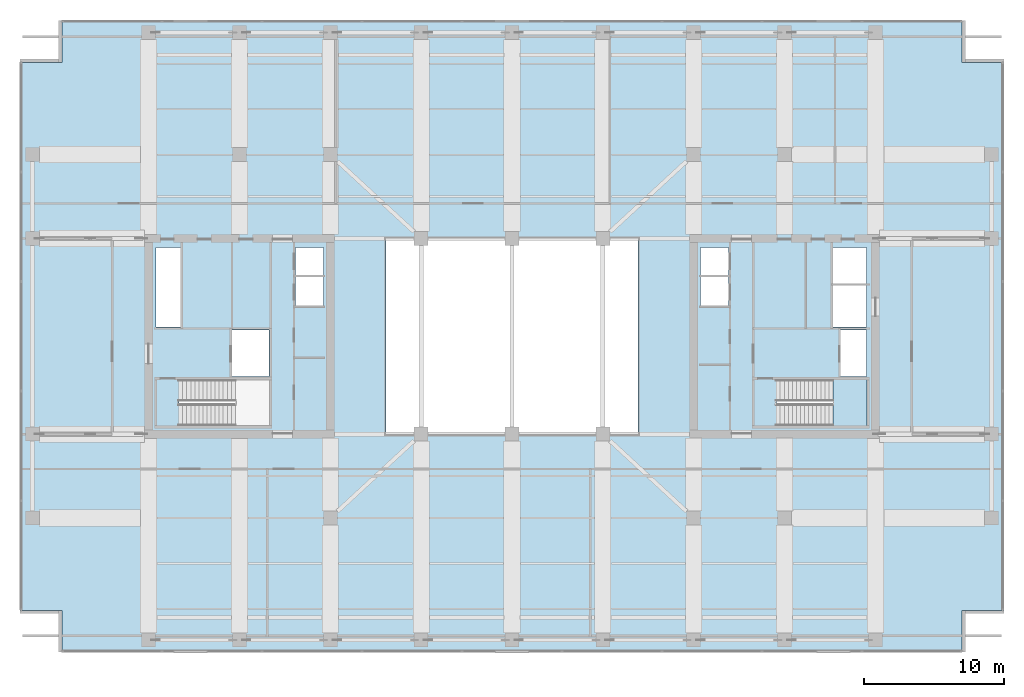
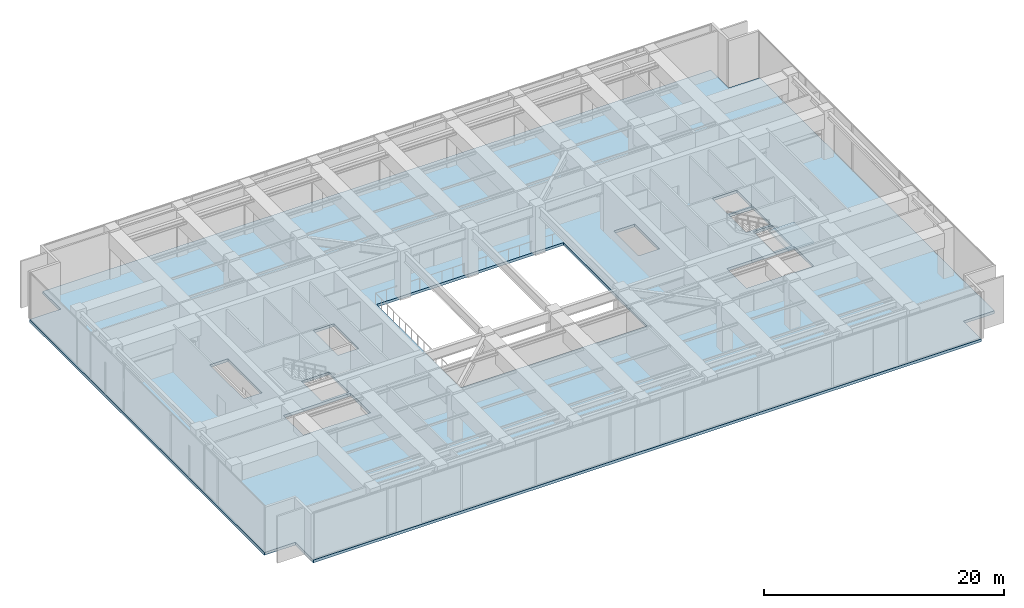
# One storey, part 15 of 28: 2 slabs, 1 element without a shape of its own.
"""IFC4 building model written with IfcOpenShell, lengths in metres."""

from ifc_helpers import new_model, si_unit, direction, frame, origin, place, context, subcontext, project, spatial, polyline, outline, extrude, material, layer, layer_set, type_object, element, aggregate, save


model = new_model("IFC4")

# Units and contexts
model_context = context("Model", 3, precision=1e-05, world=origin(), true_north=direction((0.0, 1.0)))
body_context = subcontext(model_context, "Body", "Model", "MODEL_VIEW")
ifc_project = project(units=[si_unit("LENGTHUNIT", "METRE"), si_unit("AREAUNIT", "SQUARE_METRE"), si_unit("VOLUMEUNIT", "CUBIC_METRE"), si_unit("PLANEANGLEUNIT", "RADIAN"), si_unit("MASSUNIT", "GRAM", prefix="KILO")], contexts=[model_context])

# Site, building, storey
site_placement = place(None, origin())
site = spatial("IfcSite", under=ifc_project, at=site_placement, CompositionType="ELEMENT")
building_placement = place(site_placement, origin())
building = spatial("IfcBuilding", under=site, at=building_placement, Name="Putna Gate Headquarters", CompositionType="ELEMENT")
storey_placement = place(building_placement, frame((0.0, 0.0, 197.39990234375)))
storey = spatial("IfcBuildingStorey", under=building, at=storey_placement, Name="L49", CompositionType="ELEMENT", Elevation=197.39990234375)

# Stair, slab
ifc_material = material(Name="Concrete C40/50", Category="concrete")
stair_type = type_object("IfcStairType", Name="STAIR-ST2", PredefinedType="HALF_TURN_STAIR", material=ifc_material)
stair_placement = place(storey_placement, origin())
stair = element("IfcStair", 1, at=stair_placement, inside=storey, type_object=stair_type, Name="L49 East Core Exit Stair ST2", PredefinedType="HALF_TURN_STAIR")
ifc_layer_1 = layer(ifc_material, 0.199951171875)
ifc_layer_set_1 = layer_set([ifc_layer_1], Name="Concrete C40/50")
slab_type_1 = type_object("IfcSlabType", Name="LANDING-ST2", PredefinedType="LANDING", material=ifc_layer_set_1)
slab_1_placement = place(storey_placement, frame((0.0, 0.0, 2.300048828125)))
slab_1 = element("IfcSlab", 2, at=slab_1_placement, type_object=slab_type_1, Name="ST2 landing 1", PredefinedType="LANDING", context=body_context, shape_type="SweptSolid", body=[
    extrude(outline(polyline([(61.9599609375, 19.60009765625), (64.39990234375, 19.60009765625), (64.39990234375, 22.89990234375), (61.9599609375, 22.89990234375), (61.9599609375, 19.60009765625)])), origin(), (0.0, 0.0, 1.0), 0.199951171875),
])
aggregate(stair, [slab_1])

# Slab
ifc_layer_2 = layer(ifc_material, 0.280029296875)
ifc_layer_set_2 = layer_set([ifc_layer_2], Name="Concrete C40/50")
slab_type_2 = type_object("IfcSlabType", Name="SLAB-PLANT-280", PredefinedType="FLOOR", material=ifc_layer_set_2)
slab_2_placement = place(storey_placement, frame((0.0, 0.0, -0.27978515625)))
element("IfcSlab", 3, at=slab_2_placement, inside=storey, type_object=slab_type_2, Name="L49 Composite Floor Slab", PredefinedType="FLOOR", context=body_context, shape_type="SweptSolid", body=[
    extrude(outline(polyline([(6.800048828125, 3.39990234375), (71.199951171875, 3.39990234375), (71.199951171875, 6.39990234375), (74.199951171875, 6.39990234375), (74.199951171875, 45.60009765625), (71.199951171875, 45.60009765625), (71.199951171875, 48.60009765625), (6.800048828125, 48.60009765625), (6.800048828125, 45.60009765625), (3.800048828125, 45.60009765625), (3.800048828125, 6.39990234375), (6.800048828125, 6.39990234375), (6.800048828125, 3.39990234375)]), holes=[polyline([(15.1650390625, 19.60009765625), (21.64990234375, 19.60009765625), (21.64990234375, 22.89990234375), (15.1650390625, 22.89990234375), (15.1650390625, 19.60009765625)]), polyline([(57.9150390625, 19.60009765625), (64.39990234375, 19.60009765625), (64.39990234375, 22.89990234375), (57.9150390625, 22.89990234375), (57.9150390625, 19.60009765625)]), polyline([(13.52001953125, 26.659912109375), (15.280029296875, 26.659912109375), (15.280029296875, 32.35009765625), (13.52001953125, 32.35009765625), (13.52001953125, 26.659912109375)]), polyline([(61.969970703125, 29.780029296875), (64.35009765625, 29.780029296875), (64.35009765625, 32.35009765625), (61.969970703125, 32.35009765625), (61.969970703125, 29.780029296875)]), polyline([(18.97998046875, 23.1201171875), (21.6201171875, 23.1201171875), (21.6201171875, 26.4599609375), (18.97998046875, 26.4599609375), (18.97998046875, 23.1201171875)]), polyline([(62.52001953125, 23.1201171875), (64.35009765625, 23.1201171875), (64.35009765625, 26.4599609375), (62.52001953125, 26.4599609375), (62.52001953125, 23.1201171875)]), polyline([(61.969970703125, 26.659912109375), (64.35009765625, 26.659912109375), (64.35009765625, 29.6201171875), (61.969970703125, 29.6201171875), (61.969970703125, 26.659912109375)]), polyline([(23.5, 28.199951171875), (25.5, 28.199951171875), (25.5, 32.35009765625), (23.5, 32.35009765625), (23.5, 28.199951171875)]), polyline([(52.47998046875, 28.199951171875), (54.5, 28.199951171875), (54.5, 32.35009765625), (52.47998046875, 32.35009765625), (52.47998046875, 28.199951171875)]), polyline([(30.0, 19.0), (48.0, 19.0), (48.0, 33.0), (30.0, 33.0), (30.0, 19.0)])]), origin(), (0.0, 0.0, 1.0), 0.27978515625),
])

save(model, "model.ifc")
